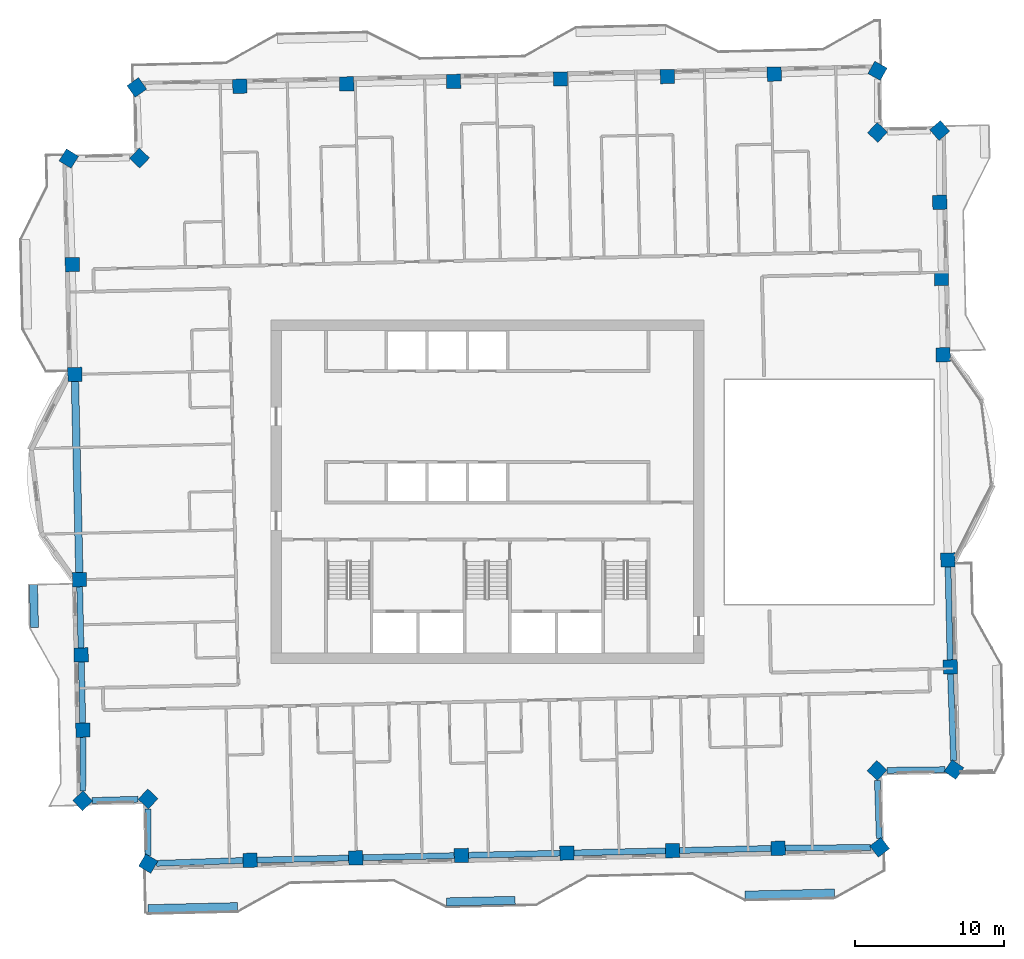
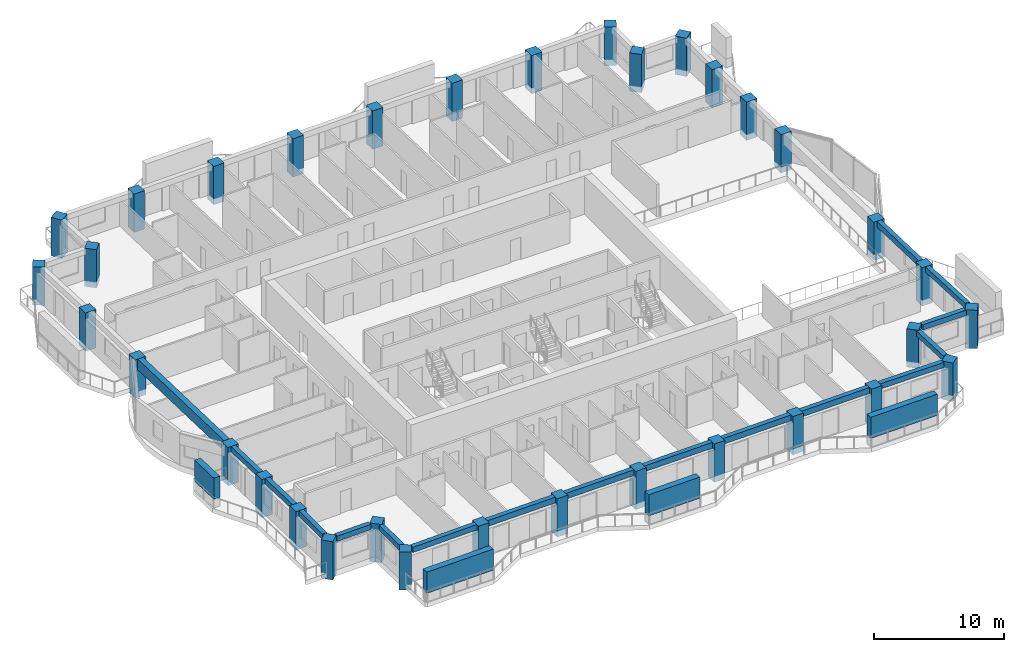
# One storey, part 1 of 19: 34 columns, 17 beams, 4 members.
"""IFC4 building model written with IfcOpenShell, lengths in metres."""

import ifcopenshell
import ifcopenshell.guid

model = None  # the IFC model being written
_history = None  # IfcOwnerHistory: only IFC2X3 demands one
_inside = {}  # id of a spatial element -> (the spatial element, [elements in it])
_under = {}  # id of a project, library or spatial element -> (it, [spatial elements below it])
_declared = {}  # id of a project -> (the project, [libraries it declares])
_typed = {}  # id of a type object -> (the type object, [elements of that type])
_made_of = {}  # id of a material, layer set ... -> (it, [elements and type objects made of it])


def new_model(schema):
    """Start an empty IFC model of exactly this schema.

    Asked for "IFC4X3", IfcOpenShell would pick the latest addendum, in which some entities
    have other attributes; the version numbers below select the first issue.
    IFC2X3 requires an IfcOwnerHistory on every rooted entity: one is made here for all.
    """
    global model, _history
    if schema == "IFC4X3":
        model = ifcopenshell.file(schema_version=(4, 3, 0, 0))
    else:
        model = ifcopenshell.file(schema=schema)
    _inside.clear()
    _under.clear()
    _declared.clear()
    _typed.clear()
    _made_of.clear()
    _history = None
    if model.schema == "IFC2X3":
        org = make("IfcOrganization", Name="unknown")
        user = make(
            "IfcPersonAndOrganization",
            ThePerson=make("IfcPerson", FamilyName="unknown"),
            TheOrganization=org,
        )
        app = make(
            "IfcApplication",
            ApplicationDeveloper=org,
            Version="unknown",
            ApplicationFullName="unknown",
            ApplicationIdentifier="unknown",
        )
        _history = make(
            "IfcOwnerHistory",
            OwningUser=user,
            OwningApplication=app,
            ChangeAction="ADDED",
            CreationDate=0,
        )
    return model


def make(cls, **values):
    """One entity of the class cls with the attributes given. An attribute that is None is left unset."""
    return model.create_entity(
        cls, **{name: value for name, value in values.items() if value is not None}
    )


def rooted(cls, **values):
    """An entity with a GlobalId (a new one), such as an element, a storey or a relation."""
    return make(cls, GlobalId=ifcopenshell.guid.new(), OwnerHistory=_history, **values)


def si_unit(unit_type, name, prefix=None):
    """IfcSIUnit, for example si_unit("LENGTHUNIT", "METRE", prefix="MILLI")."""
    return make("IfcSIUnit", UnitType=unit_type, Prefix=prefix, Name=name)


def assignment(units):
    """IfcUnitAssignment: the units of a project."""
    return None if units is None else make("IfcUnitAssignment", Units=units)


def point(xyz):
    """IfcCartesianPoint."""
    return None if xyz is None else make("IfcCartesianPoint", Coordinates=xyz)


def direction(xyz):
    """IfcDirection."""
    return None if xyz is None else make("IfcDirection", DirectionRatios=xyz)


def frame(location, z_axis=None, x_axis=None):
    """IfcAxis2Placement3D, a coordinate frame: its origin and axes. An axis left out is left unset."""
    return make(
        "IfcAxis2Placement3D",
        Location=point(location),
        Axis=direction(z_axis),
        RefDirection=direction(x_axis),
    )


def frame_2d(location, x_axis=None):
    """IfcAxis2Placement2D, a coordinate frame in the plane: its origin and x axis."""
    return make(
        "IfcAxis2Placement2D", Location=point(location), RefDirection=direction(x_axis)
    )


def origin():
    """The frame at (0, 0, 0) with its axes left unset."""
    return frame((0.0, 0.0, 0.0))


def origin_2d():
    """The frame at (0, 0) in the plane with its x axis left unset."""
    return frame_2d((0.0, 0.0))


def place(relative_to, where):
    """IfcLocalPlacement: puts the frame where relative to a parent placement (None: the world)."""
    return make(
        "IfcLocalPlacement", PlacementRelTo=relative_to, RelativePlacement=where
    )


def context(
    kind, dimensions, precision=None, world=None, true_north=None, identifier=None
):
    """IfcGeometricRepresentationContext, for example the 3D "Model" context."""
    return make(
        "IfcGeometricRepresentationContext",
        ContextIdentifier=identifier,
        ContextType=kind,
        CoordinateSpaceDimension=dimensions,
        Precision=precision,
        WorldCoordinateSystem=world,
        TrueNorth=true_north,
    )


def subcontext(parent, identifier, kind, view, scale=None):
    """IfcGeometricRepresentationSubContext, for example "Body" below "Model"."""
    return make(
        "IfcGeometricRepresentationSubContext",
        ContextIdentifier=identifier,
        ContextType=kind,
        ParentContext=parent,
        TargetScale=scale,
        TargetView=view,
    )


def project(units=None, contexts=None):
    """IfcProject with its units and contexts."""
    return rooted(
        "IfcProject",
        Name="project",
        RepresentationContexts=contexts,
        UnitsInContext=assignment(units),
    )


def spatial(cls, under=None, at=None, **own):
    """A site, building, storey or space (cls), placed at a placement, below another one or the project."""
    s = rooted(cls, ObjectPlacement=at, **own)
    if under is not None:
        _under.setdefault(under.id(), (under, []))[1].append(s)
    return s


def profile(cls, at=None, kind="AREA", **sizes):
    """A parametric profile (cls). Its sizes go by their IFC names, for example OverallWidth=200.0."""
    return make(cls, ProfileType=kind, Position=at, **sizes)


def rectangle(**sizes):
    """IfcRectangleProfileDef."""
    return profile("IfcRectangleProfileDef", **sizes)


def extrude(swept, where, along, depth):
    """IfcExtrudedAreaSolid: the profile swept, set in the frame where, extruded along a direction by depth."""
    return make(
        "IfcExtrudedAreaSolid",
        SweptArea=swept,
        Position=where,
        ExtrudedDirection=direction(along),
        Depth=depth,
    )


def shape(context_of_items, identifier, shape_type, items):
    """IfcShapeRepresentation: the items that make up one representation, for example the "Body"."""
    return make(
        "IfcShapeRepresentation",
        ContextOfItems=context_of_items,
        RepresentationIdentifier=identifier,
        RepresentationType=shape_type,
        Items=items,
    )


def material(Name=None, Category=None):
    """IfcMaterial."""
    return make("IfcMaterial", Name=Name, Category=Category)


def material_profile(
    of_material, cross_section, Name=None, Category=None, Priority=None
):
    """IfcMaterialProfile: a cross section and its material."""
    return make(
        "IfcMaterialProfile",
        Name=Name,
        Material=of_material,
        Profile=cross_section,
        Priority=Priority,
        Category=Category,
    )


def profile_set(profiles, Name=None, composite=None):
    """IfcMaterialProfileSet."""
    return make(
        "IfcMaterialProfileSet",
        Name=Name,
        MaterialProfiles=profiles,
        CompositeProfile=composite,
    )


def made_of(thing, what):
    """Note that an element or type object is made of a material, layer set ...; save() writes the relation."""
    if what is not None:
        _made_of.setdefault(what.id(), (what, []))[1].append(thing)
    return thing


def type_object(cls, material=None, **own):
    """A type object (cls), such as IfcWallType, which elements share."""
    return made_of(rooted(cls, **own), material)


def element(
    cls,
    number,
    at=None,
    inside=None,
    cuts=None,
    type_object=None,
    material=None,
    context=None,
    identifier="Body",
    shape_type=None,
    held_by="IfcProductDefinitionShape",
    body=None,
    shapes=None,
    **own,
):
    """One element of the class cls, such as IfcWall. Its Tag is "e" and its number.

    at: its placement. inside: the storey or other place that contains it. cuts: it is an
    opening in that element (IfcRelVoidsElement). A single representation is given by context,
    identifier, shape_type and body (its items); several are given by shapes. held_by: the class
    of the entity that holds the representations. save() writes the other relations.
    """
    e = rooted(cls, Tag="e%d" % number, ObjectPlacement=at, **own)
    if body is not None:
        shapes = [shape(context, identifier, shape_type, body)]
    if shapes is not None:
        e.Representation = make(held_by, Representations=shapes)
    if inside is not None:
        _inside.setdefault(inside.id(), (inside, []))[1].append(e)
    if cuts is not None:
        rooted(
            "IfcRelVoidsElement", RelatingBuildingElement=cuts, RelatedOpeningElement=e
        )
    if type_object is not None:
        _typed.setdefault(type_object.id(), (type_object, []))[1].append(e)
    return made_of(e, material)


def aggregate(whole, parts):
    """IfcRelAggregates: a whole, such as a stair, and the parts it consists of."""
    return rooted("IfcRelAggregates", RelatingObject=whole, RelatedObjects=parts)


def save(model, path):
    """Write the relations noted so far, then the file.

    IfcRelAggregates (storeys below a building ...), IfcRelContainedInSpatialStructure (elements
    in a storey), IfcRelDefinesByType, IfcRelAssociatesMaterial and IfcRelDeclares: one each for
    every whole, place, type object, material and project.
    """
    for whole, parts in _under.values():
        aggregate(whole, parts)
    for where, things in _inside.values():
        rooted(
            "IfcRelContainedInSpatialStructure",
            RelatedElements=things,
            RelatingStructure=where,
        )
    for kind, things in _typed.values():
        rooted("IfcRelDefinesByType", RelatedObjects=things, RelatingType=kind)
    for what, things in _made_of.values():
        rooted("IfcRelAssociatesMaterial", RelatedObjects=things, RelatingMaterial=what)
    for by, libraries in _declared.values():
        rooted("IfcRelDeclares", RelatingContext=by, RelatedDefinitions=libraries)
    model.write(path)


model = new_model("IFC4")

# Units and contexts
model_context = context("Model", 3, precision=1e-05, world=origin(), true_north=direction((0.0, 1.0)))
body_context = subcontext(model_context, "Body", "Model", "MODEL_VIEW")
ifc_project = project(units=[si_unit("LENGTHUNIT", "METRE"), si_unit("AREAUNIT", "SQUARE_METRE"), si_unit("VOLUMEUNIT", "CUBIC_METRE"), si_unit("PLANEANGLEUNIT", "RADIAN"), si_unit("MASSUNIT", "GRAM", prefix="KILO")], contexts=[model_context])

# Site, building, storey
site_placement = place(None, origin())
site = spatial("IfcSite", under=ifc_project, at=site_placement, CompositionType="ELEMENT")
building_placement = place(site_placement, origin())
building = spatial("IfcBuilding", under=site, at=building_placement, Name="Mangrove Gate Tower", CompositionType="ELEMENT")
storey_placement = place(building_placement, frame((0.0, 0.0, 283.5)))
storey = spatial("IfcBuildingStorey", under=building, at=storey_placement, Name="L72", CompositionType="ELEMENT", Elevation=283.5)

# Columns
ifc_material_1 = material(Name="Concrete C50/60", Category="concrete")
ifc_material_profile_1 = material_profile(ifc_material_1, rectangle(XDim=0.949951171875, YDim=0.949951171875, at=origin_2d()))
ifc_profile_set_1 = profile_set([ifc_material_profile_1], Name="Concrete C50/60")
column_type = type_object("IfcColumnType", Name="Column RC 950x950 C50/60", PredefinedType="COLUMN", material=ifc_profile_set_1)
for number, where, z_axis, x_axis, name in (
    (1, (-27.3291015625, -5.88330078125, -0.550048828125), (0.0, 0.0, 1.0), (0.022668227132, -0.999743042726, 0.0), "Column L72 W05"),
    (2, (-27.215087890625, -10.92431640625, -0.550048828125), (0.0, 0.0, 1.0), (0.022611029903, -0.999744337982, 0.0), "Column L72 W06"),
    (3, (-27.10107421875, -15.964111328125, -0.550048828125), (0.0, 0.0, 1.0), (0.022712390043, -0.999742040398, 0.0), "Column L72 W07"),
    (4, (-27.1103515625, -20.694580078125, -0.550048828125), (0.0, 0.0, 1.0), (0.674559871236, -0.738220143398, 0.0), "Column L72 W08"),
    (5, (-22.73388671875, -20.571533203125, -0.550048828125), (0.0, 0.0, 1.0), (0.722917548782, -0.690934307777, 0.0), "Column L72 W09"),
    (6, (-22.721435546875, -24.905029296875, -0.550048828125), (0.0, 0.0, 1.0), (0.860936080736, -0.508713145974, 0.0), "Column L72 S01"),
    (7, (-15.898681640625, -24.67919921875, -0.550048828125), (0.0, 0.0, 1.0), (0.999742783124, 0.022679673549, 0.0), "Column L72 S02"),
    (8, (-8.82373046875, -24.51806640625, -0.550048828125), (0.0, 0.0, 1.0), (0.999742783124, 0.022679673549, 0.0), "Column L72 S03"),
    (9, (-1.748779296875, -24.358154296875, -0.550048828125), (0.0, 0.0, 1.0), (0.999742746705, 0.022681278839, 0.0), "Column L72 S04"),
    (10, (5.3251953125, -24.197021484375, -0.550048828125), (0.0, 0.0, 1.0), (0.999741142154, 0.022751894086, 0.0), "Column L72 S05"),
    (11, (12.400146484375, -24.0361328125, -0.550048828125), (0.0, 0.0, 1.0), (0.999742783124, 0.022679673549, 0.0), "Column L72 S06"),
    (12, (19.475341796875, -23.876220703125, -0.550048828125), (0.0, 0.0, 1.0), (0.999742783124, 0.022679673549, 0.0), "Column L72 S07"),
    (13, (26.271240234375, -23.813720703125, -0.550048828125), (0.0, 0.0, 1.0), (0.792213187663, 0.610244430775, 0.0), "Column L72 S08"),
    (14, (26.099609375, -18.663818359375, -0.550048828125), (0.0, 0.0, 1.0), (0.690876732885, 0.722972572065, 0.0), "Column L72 E01"),
    (15, (31.25048828125, -18.603759765625, -0.550048828125), (0.0, 0.0, 1.0), (0.568957327632, 0.8223670466, 0.0), "Column L72 E02"),
    (16, (31.004150390625, -11.723876953125, -0.550048828125), (0.0, 0.0, 1.0), (-0.02268810132, 0.9997425919, 0.0), "Column L72 E03"),
    (17, (30.841064453125, -4.563720703125, -0.550048828125), (0.0, 0.0, 1.0), (-0.022713803395, 0.999742008288, 0.0), "Column L72 E04"),
    (18, (30.529052734375, 9.183349609375, -0.550048828125), (0.0, 0.0, 1.0), (-0.022641914322, 0.999743638997, 0.0), "Column L72 E05"),
    (19, (30.4140625, 14.290283203125, -0.550048828125), (0.0, 0.0, 1.0), (-0.022610227257, 0.999744356135, 0.0), "Column L72 E06"),
    (20, (30.298095703125, 19.397216796875, -0.550048828125), (0.0, 0.0, 1.0), (-0.022708062743, 0.999742138697, 0.0), "Column L72 E07"),
    (21, (30.297119140625, 24.205078125, -0.550048828125), (0.0, 0.0, 1.0), (-0.652445951575, 0.757835259323, 0.0), "Column L72 E08"),
    (22, (26.1298828125, 24.07666015625, -0.550048828125), (0.0, 0.0, 1.0), (-0.722919671176, 0.69093208713, 0.0), "Column L72 E09"),
    (23, (26.132080078125, 28.203857421875, -0.550048828125), (0.0, 0.0, 1.0), (-0.873907193452, 0.486092807222, 0.0), "Column L72 N01"),
    (24, (19.212890625, 27.981201171875, -0.550048828125), (0.0, 0.0, 1.0), (-0.9997425919, -0.02268810132, 0.0), "Column L72 N02"),
    (25, (12.052734375, 27.819091796875, -0.550048828125), (0.0, 0.0, 1.0), (-0.9997425919, -0.02268810132, 0.0), "Column L72 N03"),
    (26, (4.891845703125, 27.656005859375, -0.550048828125), (0.0, 0.0, 1.0), (-0.9997425919, -0.02268810132, 0.0), "Column L72 N04"),
    (27, (-2.268310546875, 27.494140625, -0.550048828125), (0.0, 0.0, 1.0), (-0.9997425919, -0.02268810132, 0.0), "Column L72 N05"),
    (28, (-9.42919921875, 27.3310546875, -0.550048828125), (0.0, 0.0, 1.0), (-0.9997425919, -0.02268810132, 0.0), "Column L72 N06"),
    (29, (-16.589111328125, 27.169189453125, -0.550048828125), (0.0, 0.0, 1.0), (-0.9997425919, -0.02268810132, 0.0), "Column L72 N07"),
    (30, (-23.48779296875, 27.092529296875, -0.550048828125), (0.0, 0.0, 1.0), (-0.81788929658, -0.575375615176, 0.0), "Column L72 N08"),
    (31, (-23.30859375, 22.354736328125, -0.550048828125), (0.0, 0.0, 1.0), (-0.690864619266, -0.722984147714, 0.0), "Column L72 W01"),
    (32, (-28.04638671875, 22.32373046875, -0.550048828125), (0.0, 0.0, 1.0), (-0.526906799816, -0.849923069641, 0.0), "Column L72 W02"),
    (33, (-27.80810546875, 15.223876953125, -0.550048828125), (0.0, 0.0, 1.0), (0.022682831782, -0.999742711472, 0.0), "Column L72 W03"),
    (34, (-27.64111328125, 7.86376953125, -0.550048828125), (0.0, 0.0, 1.0), (0.022688048974, -0.999742593088, 0.0), "Column L72 W04"),
):
    element("IfcColumn", number, at=place(storey_placement, frame(where, z_axis=z_axis, x_axis=x_axis)), inside=storey, type_object=column_type, Name=name, PredefinedType="COLUMN", context=body_context, shape_type="SweptSolid", body=[
        extrude(rectangle(XDim=0.949951171875, YDim=0.949951171875, at=origin_2d()), origin(), (0.0, 0.0, 1.0), 3.60009765625),
    ])

# Members
ifc_material_2 = material(Name="Planting on aluminium trellis", Category="aluminium")
ifc_material_profile_2 = material_profile(ifc_material_2, rectangle(XDim=0.550048828125, YDim=2.0, at=origin_2d()))
ifc_profile_set_2 = profile_set([ifc_material_profile_2], Name="Planting on aluminium trellis")
member_type = type_object("IfcMemberType", Name="Balcony greenery screen 550x2000", PredefinedType="USERDEFINED", material=ifc_profile_set_2)
member_1_placement = place(storey_placement, frame((-30.347900390625, -9.077880859375, 1.800048828125), z_axis=(-0.022677031611, 0.999742843054, 0.0), x_axis=(-0.999742843054, -0.022677031611, 0.0)))
element("IfcMember", 35, at=member_1_placement, inside=storey, type_object=member_type, Name="GREEN SCREEN L72 W1.1", ObjectType="PLANTING", PredefinedType="USERDEFINED", context=body_context, shape_type="SweptSolid", body=[
    extrude(rectangle(XDim=0.550048828125, YDim=2.0, at=origin_2d()), origin(), (0.0, 0.0, 1.0), 2.87451171875),
])
member_2_placement = place(storey_placement, frame((-22.735107421875, -27.925048828125, 1.800048828125), z_axis=(0.999743094499, 0.022665943652, 0.0), x_axis=(-0.022665943652, 0.999743094499, 0.0)))
element("IfcMember", 36, at=member_2_placement, inside=storey, type_object=member_type, Name="GREEN SCREEN L72 S0.1", ObjectType="PLANTING", PredefinedType="USERDEFINED", context=body_context, shape_type="SweptSolid", body=[
    extrude(rectangle(XDim=0.550048828125, YDim=2.0, at=origin_2d()), origin(), (0.0, 0.0, 1.0), 5.99951171875),
])
member_3_placement = place(storey_placement, frame((-2.739990234375, -27.470947265625, 1.800048828125), z_axis=(0.999744377441, 0.022609285172, 0.0), x_axis=(-0.022609285172, 0.999744377441, 0.0)))
element("IfcMember", 37, at=member_3_placement, inside=storey, type_object=member_type, Name="GREEN SCREEN L72 S0.2", ObjectType="PLANTING", PredefinedType="USERDEFINED", context=body_context, shape_type="SweptSolid", body=[
    extrude(rectangle(XDim=0.550048828125, YDim=2.0, at=origin_2d()), origin(), (0.0, 0.0, 1.0), 4.60009765625),
])
member_4_placement = place(storey_placement, frame((17.2548828125, -27.01708984375, 1.800048828125), z_axis=(0.999743094499, 0.022665943652, 0.0), x_axis=(-0.022665943652, 0.999743094499, 0.0)))
element("IfcMember", 38, at=member_4_placement, inside=storey, type_object=member_type, Name="GREEN SCREEN L72 S1.1", ObjectType="PLANTING", PredefinedType="USERDEFINED", context=body_context, shape_type="SweptSolid", body=[
    extrude(rectangle(XDim=0.550048828125, YDim=2.0, at=origin_2d()), origin(), (0.0, 0.0, 1.0), 5.99951171875),
])

# Beams
ifc_material_3 = material(Name="Concrete C50/60", Category="concrete")
ifc_material_profile_3 = material_profile(ifc_material_3, rectangle(XDim=0.39990234375, YDim=0.5, at=origin_2d()))
ifc_profile_set_3 = profile_set([ifc_material_profile_3], Name="Concrete C50/60")
beam_type_1 = type_object("IfcBeamType", Name="Edge beam RC 400x500 C50/60", PredefinedType="BEAM", material=ifc_profile_set_3)
beam_1_placement = place(storey_placement, frame((-27.318359375, -6.358154296875, 2.800048828125), z_axis=(0.022610282283, -0.99974435489, 0.0), x_axis=(0.99974435489, 0.022610282283, 0.0)))
element("IfcBeam", 39, at=beam_1_placement, inside=storey, type_object=beam_type_1, Name="Edge beam L72 00", PredefinedType="BEAM", context=body_context, shape_type="SweptSolid", body=[
    extrude(rectangle(XDim=0.39990234375, YDim=0.5, at=origin_2d()), origin(), (0.0, 0.0, 1.0), 4.09228515625),
])
beam_2_placement = place(storey_placement, frame((-27.204345703125, -11.399169921875, 2.800048828125), z_axis=(0.022617026961, -0.999744202329, 0.0), x_axis=(0.999744202329, 0.022617026961, 0.0)))
element("IfcBeam", 40, at=beam_2_placement, inside=storey, type_object=beam_type_1, Name="Edge beam L72 01", PredefinedType="BEAM", context=body_context, shape_type="SweptSolid", body=[
    extrude(rectangle(XDim=0.39990234375, YDim=0.5, at=origin_2d()), origin(), (0.0, 0.0, 1.0), 4.091064453125),
])
beam_3_placement = place(storey_placement, frame((-27.10205078125, -16.439453125, 2.800048828125), z_axis=(-0.001960913128, -0.999998077408, 0.0), x_axis=(0.999998077408, -0.001960913128, 0.0)))
element("IfcBeam", 41, at=beam_3_placement, inside=storey, type_object=beam_type_1, Name="Edge beam L72 02", PredefinedType="BEAM", context=body_context, shape_type="SweptSolid", body=[
    extrude(rectangle(XDim=0.39990234375, YDim=0.5, at=origin_2d()), origin(), (0.0, 0.0, 1.0), 3.610595703125),
])
beam_4_placement = place(storey_placement, frame((-26.48291015625, -20.677001953125, 2.800048828125), z_axis=(0.999604650157, 0.028116603344, 0.0), x_axis=(-0.028116603344, 0.999604650157, 0.0)))
element("IfcBeam", 42, at=beam_4_placement, inside=storey, type_object=beam_type_1, Name="Edge beam L72 03", PredefinedType="BEAM", context=body_context, shape_type="SweptSolid", body=[
    extrude(rectangle(XDim=0.39990234375, YDim=0.5, at=origin_2d()), origin(), (0.0, 0.0, 1.0), 3.08251953125),
])
beam_5_placement = place(storey_placement, frame((-22.73193359375, -21.23046875, 2.800048828125), z_axis=(0.002893551662, -0.999995813671, 0.0), x_axis=(0.999995813671, 0.002893551662, 0.0)))
element("IfcBeam", 43, at=beam_5_placement, inside=storey, type_object=beam_type_1, Name="Edge beam L72 04", PredefinedType="BEAM", context=body_context, shape_type="SweptSolid", body=[
    extrude(rectangle(XDim=0.39990234375, YDim=0.5, at=origin_2d()), origin(), (0.0, 0.0, 1.0), 3.121826171875),
])
beam_6_placement = place(storey_placement, frame((-22.15869140625, -24.886474609375, 2.800048828125), z_axis=(0.999451720574, 0.033109790709, 0.0), x_axis=(-0.033109790709, 0.999451720574, 0.0)))
element("IfcBeam", 44, at=beam_6_placement, inside=storey, type_object=beam_type_1, Name="Edge beam L72 05", PredefinedType="BEAM", context=body_context, shape_type="SweptSolid", body=[
    extrude(rectangle(XDim=0.39990234375, YDim=0.5, at=origin_2d()), origin(), (0.0, 0.0, 1.0), 5.788330078125),
])
beam_7_placement = place(storey_placement, frame((19.9501953125, -23.871826171875, 2.800048828125), z_axis=(0.999957587868, 0.009209911265, 0.0), x_axis=(-0.009209911265, 0.999957587868, 0.0)))
element("IfcBeam", 45, at=beam_7_placement, inside=storey, type_object=beam_type_1, Name="Edge beam L72 11", PredefinedType="BEAM", context=body_context, shape_type="SweptSolid", body=[
    extrude(rectangle(XDim=0.39990234375, YDim=0.5, at=origin_2d()), origin(), (0.0, 0.0, 1.0), 5.725830078125),
])
beam_8_placement = place(storey_placement, frame((26.251708984375, -23.22900390625, 2.800048828125), z_axis=(-0.033277341028, 0.999446155915, 0.0), x_axis=(-0.999446155915, -0.033277341028, 0.0)))
element("IfcBeam", 46, at=beam_8_placement, inside=storey, type_object=beam_type_1, Name="Edge beam L72 12", PredefinedType="BEAM", context=body_context, shape_type="SweptSolid", body=[
    extrude(rectangle(XDim=0.39990234375, YDim=0.5, at=origin_2d()), origin(), (0.0, 0.0, 1.0), 3.903076171875),
])
beam_9_placement = place(storey_placement, frame((26.763916015625, -18.656005859375, 2.800048828125), z_axis=(0.99993236047, 0.011630755991, 0.0), x_axis=(-0.011630755991, 0.99993236047, 0.0)))
element("IfcBeam", 47, at=beam_9_placement, inside=storey, type_object=beam_type_1, Name="Edge beam L72 13", PredefinedType="BEAM", context=body_context, shape_type="SweptSolid", body=[
    extrude(rectangle(XDim=0.39990234375, YDim=0.5, at=origin_2d()), origin(), (0.0, 0.0, 1.0), 3.904296875),
])
beam_10_placement = place(storey_placement, frame((31.229248046875, -18.011474609375, 2.800048828125), z_axis=(-0.035802315604, 0.999358891589, 0.0), x_axis=(-0.999358891589, -0.035802315604, 0.0)))
element("IfcBeam", 48, at=beam_10_placement, inside=storey, type_object=beam_type_1, Name="Edge beam L72 14", PredefinedType="BEAM", context=body_context, shape_type="SweptSolid", body=[
    extrude(rectangle(XDim=0.39990234375, YDim=0.5, at=origin_2d()), origin(), (0.0, 0.0, 1.0), 5.816650390625),
])
ifc_material_4 = material(Name="Concrete C50/60", Category="concrete")
ifc_material_profile_4 = material_profile(ifc_material_4, rectangle(XDim=0.39990234375, YDim=0.550048828125, at=origin_2d()))
ifc_profile_set_4 = profile_set([ifc_material_profile_4], Name="Concrete C50/60")
beam_type_2 = type_object("IfcBeamType", Name="Edge beam RC 400x550 C50/60", PredefinedType="BEAM", material=ifc_profile_set_4)
for number, where, z_axis, x_axis, name in (
    (49, (-15.423828125, -24.668212890625, 2.77490234375), (0.999741115026, 0.022753086081, 0.0), (-0.022753086081, 0.999741115026, 0.0), "Edge beam L72 06"),
    (50, (-8.348876953125, -24.50732421875, 2.77490234375), (0.999744728048, 0.022593776587, 0.0), (-0.022593776587, 0.999744728048, 0.0), "Edge beam L72 07"),
):
    element("IfcBeam", number, at=place(storey_placement, frame(where, z_axis=z_axis, x_axis=x_axis)), inside=storey, type_object=beam_type_2, Name=name, PredefinedType="BEAM", context=body_context, shape_type="SweptSolid", body=[
        extrude(rectangle(XDim=0.39990234375, YDim=0.550048828125, at=origin_2d()), origin(), (0.0, 0.0, 1.0), 6.126708984375),
    ])
beam_11_placement = place(storey_placement, frame((-1.27392578125, -24.347412109375, 2.77490234375), z_axis=(0.999741032489, 0.02275671236, 0.0), x_axis=(-0.02275671236, 0.999741032489, 0.0)))
element("IfcBeam", 51, at=beam_11_placement, inside=storey, type_object=beam_type_2, Name="Edge beam L72 08", PredefinedType="BEAM", context=body_context, shape_type="SweptSolid", body=[
    extrude(rectangle(XDim=0.39990234375, YDim=0.550048828125, at=origin_2d()), origin(), (0.0, 0.0, 1.0), 6.125732421875),
])
for number, where, z_axis, x_axis, name in (
    (52, (5.800048828125, -24.186279296875, 2.77490234375), (0.999741115026, 0.022753086081, 0.0), (-0.022753086081, 0.999741115026, 0.0), "Edge beam L72 09"),
    (53, (12.875, -24.025390625, 2.77490234375), (0.999744728048, 0.022593776587, 0.0), (-0.022593776587, 0.999744728048, 0.0), "Edge beam L72 10"),
):
    element("IfcBeam", number, at=place(storey_placement, frame(where, z_axis=z_axis, x_axis=x_axis)), inside=storey, type_object=beam_type_2, Name=name, PredefinedType="BEAM", context=body_context, shape_type="SweptSolid", body=[
        extrude(rectangle(XDim=0.39990234375, YDim=0.550048828125, at=origin_2d()), origin(), (0.0, 0.0, 1.0), 6.126708984375),
    ])
beam_12_placement = place(storey_placement, frame((30.993408203125, -11.248779296875, 2.77490234375), z_axis=(-0.022756223778, 0.99974104361, 0.0), x_axis=(-0.99974104361, -0.022756223778, 0.0)))
element("IfcBeam", 54, at=beam_12_placement, inside=storey, type_object=beam_type_2, Name="Edge beam L72 15", PredefinedType="BEAM", context=body_context, shape_type="SweptSolid", body=[
    extrude(rectangle(XDim=0.39990234375, YDim=0.550048828125, at=origin_2d()), origin(), (0.0, 0.0, 1.0), 6.2119140625),
])
ifc_material_5 = material(Name="Concrete C50/60", Category="concrete")
ifc_material_profile_5 = material_profile(ifc_material_5, rectangle(XDim=0.5, YDim=1.0, at=origin_2d()))
ifc_profile_set_5 = profile_set([ifc_material_profile_5], Name="Concrete C50/60")
beam_type_3 = type_object("IfcBeamType", Name="Edge beam RC 500x1000 C50/60", PredefinedType="BEAM", material=ifc_profile_set_5)
beam_13_placement = place(storey_placement, frame((-27.63037109375, 7.388916015625, 2.550048828125), z_axis=(0.0226962773, -0.999742406321, 0.0), x_axis=(0.999742406321, 0.0226962773, 0.0)))
element("IfcBeam", 55, at=beam_13_placement, inside=storey, type_object=beam_type_3, Name="Edge beam L72 33", PredefinedType="BEAM", context=body_context, shape_type="SweptSolid", body=[
    extrude(rectangle(XDim=0.5, YDim=1.0, at=origin_2d()), origin(), (0.0, 0.0, 1.0), 12.80078125),
])

save(model, "model.ifc")
